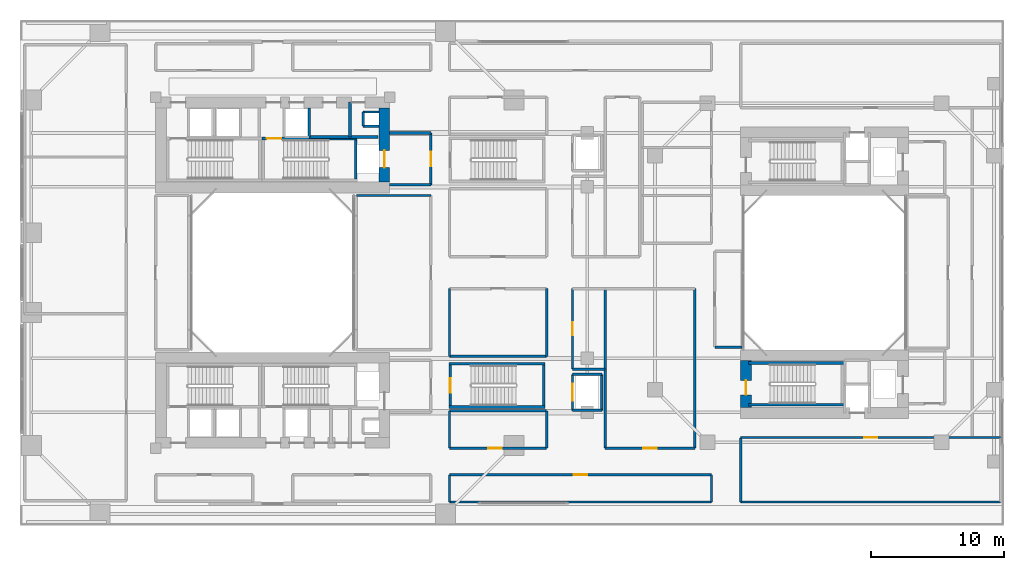
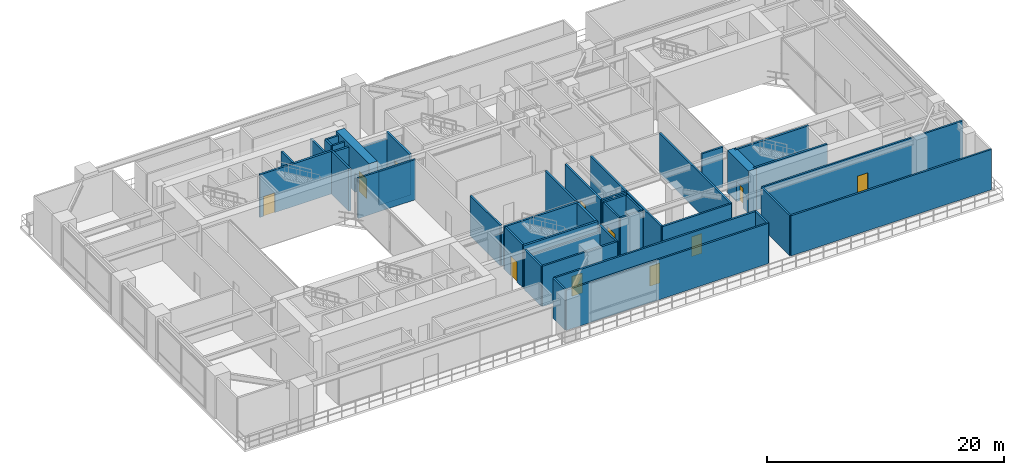
# One storey, part 13 of 20: 44 walls, 11 doors, 11 openings.
"""IFC4 building model written with IfcOpenShell, lengths in metres."""

import ifcopenshell
import ifcopenshell.guid

model = None  # the IFC model being written
_history = None  # IfcOwnerHistory: only IFC2X3 demands one
_inside = {}  # id of a spatial element -> (the spatial element, [elements in it])
_under = {}  # id of a project, library or spatial element -> (it, [spatial elements below it])
_declared = {}  # id of a project -> (the project, [libraries it declares])
_typed = {}  # id of a type object -> (the type object, [elements of that type])
_made_of = {}  # id of a material, layer set ... -> (it, [elements and type objects made of it])


def new_model(schema):
    """Start an empty IFC model of exactly this schema.

    Asked for "IFC4X3", IfcOpenShell would pick the latest addendum, in which some entities
    have other attributes; the version numbers below select the first issue.
    IFC2X3 requires an IfcOwnerHistory on every rooted entity: one is made here for all.
    """
    global model, _history
    if schema == "IFC4X3":
        model = ifcopenshell.file(schema_version=(4, 3, 0, 0))
    else:
        model = ifcopenshell.file(schema=schema)
    _inside.clear()
    _under.clear()
    _declared.clear()
    _typed.clear()
    _made_of.clear()
    _history = None
    if model.schema == "IFC2X3":
        org = make("IfcOrganization", Name="unknown")
        user = make(
            "IfcPersonAndOrganization",
            ThePerson=make("IfcPerson", FamilyName="unknown"),
            TheOrganization=org,
        )
        app = make(
            "IfcApplication",
            ApplicationDeveloper=org,
            Version="unknown",
            ApplicationFullName="unknown",
            ApplicationIdentifier="unknown",
        )
        _history = make(
            "IfcOwnerHistory",
            OwningUser=user,
            OwningApplication=app,
            ChangeAction="ADDED",
            CreationDate=0,
        )
    return model


def make(cls, **values):
    """One entity of the class cls with the attributes given. An attribute that is None is left unset."""
    return model.create_entity(
        cls, **{name: value for name, value in values.items() if value is not None}
    )


def rooted(cls, **values):
    """An entity with a GlobalId (a new one), such as an element, a storey or a relation."""
    return make(cls, GlobalId=ifcopenshell.guid.new(), OwnerHistory=_history, **values)


def si_unit(unit_type, name, prefix=None):
    """IfcSIUnit, for example si_unit("LENGTHUNIT", "METRE", prefix="MILLI")."""
    return make("IfcSIUnit", UnitType=unit_type, Prefix=prefix, Name=name)


def assignment(units):
    """IfcUnitAssignment: the units of a project."""
    return None if units is None else make("IfcUnitAssignment", Units=units)


def point(xyz):
    """IfcCartesianPoint."""
    return None if xyz is None else make("IfcCartesianPoint", Coordinates=xyz)


def direction(xyz):
    """IfcDirection."""
    return None if xyz is None else make("IfcDirection", DirectionRatios=xyz)


def frame(location, z_axis=None, x_axis=None):
    """IfcAxis2Placement3D, a coordinate frame: its origin and axes. An axis left out is left unset."""
    return make(
        "IfcAxis2Placement3D",
        Location=point(location),
        Axis=direction(z_axis),
        RefDirection=direction(x_axis),
    )


def frame_2d(location, x_axis=None):
    """IfcAxis2Placement2D, a coordinate frame in the plane: its origin and x axis."""
    return make(
        "IfcAxis2Placement2D", Location=point(location), RefDirection=direction(x_axis)
    )


def origin():
    """The frame at (0, 0, 0) with its axes left unset."""
    return frame((0.0, 0.0, 0.0))


def place(relative_to, where):
    """IfcLocalPlacement: puts the frame where relative to a parent placement (None: the world)."""
    return make(
        "IfcLocalPlacement", PlacementRelTo=relative_to, RelativePlacement=where
    )


def context(
    kind, dimensions, precision=None, world=None, true_north=None, identifier=None
):
    """IfcGeometricRepresentationContext, for example the 3D "Model" context."""
    return make(
        "IfcGeometricRepresentationContext",
        ContextIdentifier=identifier,
        ContextType=kind,
        CoordinateSpaceDimension=dimensions,
        Precision=precision,
        WorldCoordinateSystem=world,
        TrueNorth=true_north,
    )


def subcontext(parent, identifier, kind, view, scale=None):
    """IfcGeometricRepresentationSubContext, for example "Body" below "Model"."""
    return make(
        "IfcGeometricRepresentationSubContext",
        ContextIdentifier=identifier,
        ContextType=kind,
        ParentContext=parent,
        TargetScale=scale,
        TargetView=view,
    )


def project(units=None, contexts=None):
    """IfcProject with its units and contexts."""
    return rooted(
        "IfcProject",
        Name="project",
        RepresentationContexts=contexts,
        UnitsInContext=assignment(units),
    )


def spatial(cls, under=None, at=None, **own):
    """A site, building, storey or space (cls), placed at a placement, below another one or the project."""
    s = rooted(cls, ObjectPlacement=at, **own)
    if under is not None:
        _under.setdefault(under.id(), (under, []))[1].append(s)
    return s


def profile(cls, at=None, kind="AREA", **sizes):
    """A parametric profile (cls). Its sizes go by their IFC names, for example OverallWidth=200.0."""
    return make(cls, ProfileType=kind, Position=at, **sizes)


def rectangle(**sizes):
    """IfcRectangleProfileDef."""
    return profile("IfcRectangleProfileDef", **sizes)


def extrude(swept, where, along, depth):
    """IfcExtrudedAreaSolid: the profile swept, set in the frame where, extruded along a direction by depth."""
    return make(
        "IfcExtrudedAreaSolid",
        SweptArea=swept,
        Position=where,
        ExtrudedDirection=direction(along),
        Depth=depth,
    )


def shape(context_of_items, identifier, shape_type, items):
    """IfcShapeRepresentation: the items that make up one representation, for example the "Body"."""
    return make(
        "IfcShapeRepresentation",
        ContextOfItems=context_of_items,
        RepresentationIdentifier=identifier,
        RepresentationType=shape_type,
        Items=items,
    )


def source(mapping_origin, context_of_items, identifier, shape_type, items):
    """IfcRepresentationMap: a shape defined once, which mapped items show again and again."""
    return make(
        "IfcRepresentationMap",
        MappingOrigin=mapping_origin,
        MappedRepresentation=shape(context_of_items, identifier, shape_type, items),
    )


def transform(
    local_origin,
    x_axis=None,
    y_axis=None,
    z_axis=None,
    scale=None,
    scale2=None,
    scale3=None,
    uniform=True,
):
    """IfcCartesianTransformationOperator3D, or its non-uniform kind. x_axis, y_axis, z_axis: its Axis1, 2, 3."""
    if uniform:
        return make(
            "IfcCartesianTransformationOperator3D",
            Axis1=direction(x_axis),
            Axis2=direction(y_axis),
            LocalOrigin=point(local_origin),
            Scale=scale,
            Axis3=direction(z_axis),
        )
    return make(
        "IfcCartesianTransformationOperator3DnonUniform",
        Axis1=direction(x_axis),
        Axis2=direction(y_axis),
        LocalOrigin=point(local_origin),
        Scale=scale,
        Axis3=direction(z_axis),
        Scale2=scale2,
        Scale3=scale3,
    )


def mapped(mapping_source, mapping_target):
    """IfcMappedItem: shows the shape of a source again, moved by a transform."""
    return make(
        "IfcMappedItem", MappingSource=mapping_source, MappingTarget=mapping_target
    )


def material(Name=None, Category=None):
    """IfcMaterial."""
    return make("IfcMaterial", Name=Name, Category=Category)


def layer(
    of_material, thickness, ventilated=None, Name=None, Category=None, Priority=None
):
    """IfcMaterialLayer: one layer of a wall or slab, of a material (None: an air gap)."""
    return make(
        "IfcMaterialLayer",
        Material=of_material,
        LayerThickness=thickness,
        IsVentilated=ventilated,
        Name=Name,
        Category=Category,
        Priority=Priority,
    )


def layer_set(layers, Name=None):
    """IfcMaterialLayerSet."""
    return make("IfcMaterialLayerSet", MaterialLayers=layers, LayerSetName=Name)


def made_of(thing, what):
    """Note that an element or type object is made of a material, layer set ...; save() writes the relation."""
    if what is not None:
        _made_of.setdefault(what.id(), (what, []))[1].append(thing)
    return thing


def type_object(cls, material=None, **own):
    """A type object (cls), such as IfcWallType, which elements share."""
    return made_of(rooted(cls, **own), material)


def element(
    cls,
    number,
    at=None,
    inside=None,
    cuts=None,
    type_object=None,
    material=None,
    context=None,
    identifier="Body",
    shape_type=None,
    held_by="IfcProductDefinitionShape",
    body=None,
    shapes=None,
    **own,
):
    """One element of the class cls, such as IfcWall. Its Tag is "e" and its number.

    at: its placement. inside: the storey or other place that contains it. cuts: it is an
    opening in that element (IfcRelVoidsElement). A single representation is given by context,
    identifier, shape_type and body (its items); several are given by shapes. held_by: the class
    of the entity that holds the representations. save() writes the other relations.
    """
    e = rooted(cls, Tag="e%d" % number, ObjectPlacement=at, **own)
    if body is not None:
        shapes = [shape(context, identifier, shape_type, body)]
    if shapes is not None:
        e.Representation = make(held_by, Representations=shapes)
    if inside is not None:
        _inside.setdefault(inside.id(), (inside, []))[1].append(e)
    if cuts is not None:
        rooted(
            "IfcRelVoidsElement", RelatingBuildingElement=cuts, RelatedOpeningElement=e
        )
    if type_object is not None:
        _typed.setdefault(type_object.id(), (type_object, []))[1].append(e)
    return made_of(e, material)


def fill(opening, filler):
    """IfcRelFillsElement: the door or window that sits in an opening."""
    return rooted(
        "IfcRelFillsElement",
        RelatingOpeningElement=opening,
        RelatedBuildingElement=filler,
    )


def aggregate(whole, parts):
    """IfcRelAggregates: a whole, such as a stair, and the parts it consists of."""
    return rooted("IfcRelAggregates", RelatingObject=whole, RelatedObjects=parts)


def save(model, path):
    """Write the relations noted so far, then the file.

    IfcRelAggregates (storeys below a building ...), IfcRelContainedInSpatialStructure (elements
    in a storey), IfcRelDefinesByType, IfcRelAssociatesMaterial and IfcRelDeclares: one each for
    every whole, place, type object, material and project.
    """
    for whole, parts in _under.values():
        aggregate(whole, parts)
    for where, things in _inside.values():
        rooted(
            "IfcRelContainedInSpatialStructure",
            RelatedElements=things,
            RelatingStructure=where,
        )
    for kind, things in _typed.values():
        rooted("IfcRelDefinesByType", RelatedObjects=things, RelatingType=kind)
    for what, things in _made_of.values():
        rooted("IfcRelAssociatesMaterial", RelatedObjects=things, RelatingMaterial=what)
    for by, libraries in _declared.values():
        rooted("IfcRelDeclares", RelatingContext=by, RelatedDefinitions=libraries)
    model.write(path)


model = new_model("IFC4")

# Units and contexts
model_context = context("Model", 3, precision=1e-05, world=origin(), true_north=direction((0.0, 1.0)))
body_context = subcontext(model_context, "Body", "Model", "MODEL_VIEW")
ifc_project = project(units=[si_unit("LENGTHUNIT", "METRE"), si_unit("AREAUNIT", "SQUARE_METRE"), si_unit("VOLUMEUNIT", "CUBIC_METRE"), si_unit("PLANEANGLEUNIT", "RADIAN"), si_unit("MASSUNIT", "GRAM", prefix="KILO"), si_unit("THERMODYNAMICTEMPERATUREUNIT", "KELVIN"), si_unit("POWERUNIT", "WATT")], contexts=[model_context])

# Site, building, storey
site_placement = place(None, origin())
site = spatial("IfcSite", under=ifc_project, at=site_placement, CompositionType="ELEMENT")
building_placement = place(site_placement, origin())
building = spatial("IfcBuilding", under=site, at=building_placement, Name="Qiaomeng Ring Towers", CompositionType="ELEMENT")
storey_placement = place(building_placement, frame((0.0, 0.0, 13.800048828125)))
storey = spatial("IfcBuildingStorey", under=building, at=storey_placement, Name="L03", CompositionType="ELEMENT", Elevation=13.800048828125)

# Walls
ifc_material_1 = material(Name="Autoclaved aerated concrete block", Category="concrete")
ifc_layer_1 = layer(ifc_material_1, 0.199951171875, Name="Autoclaved aerated concrete block")
ifc_layer_set_1 = layer_set([ifc_layer_1], Name="Autoclaved aerated concrete block")
wall_type_1 = type_object("IfcWallType", Name="ARC-WL-PW1", PredefinedType="PARTITIONING", material=ifc_layer_set_1)
for number, where, z_axis, x_axis, name in (
    (1, (27.800048828125, 29.60009765625, 0.0), (0.0, 0.0, 1.0), (1.0, 0.0, 0.0), "L03 Interior Wall PW1"),
    (2, (27.800048828125, 33.5, 0.0), (0.0, 0.0, 1.0), (1.0, 0.0, 0.0), "L03 Interior Wall PW1"),
):
    element("IfcWall", number, at=place(storey_placement, frame(where, z_axis=z_axis, x_axis=x_axis)), inside=storey, type_object=wall_type_1, Name=name, PredefinedType="PARTITIONING", context=body_context, shape_type="SweptSolid", body=[
        extrude(rectangle(XDim=3.099853515625, YDim=0.199951171875, at=frame_2d((1.5498046875, 0.0))), origin(), (0.0, 0.0, 1.0), 3.445068359375),
    ])

# Wall, opening, door
wall_1_placement = place(storey_placement, frame((30.89990234375, 29.60009765625, 0.0), z_axis=(0.0, 0.0, 1.0), x_axis=(0.0, 1.0, 0.0)))
wall_1 = element("IfcWall", 3, at=wall_1_placement, inside=storey, type_object=wall_type_1, Name="L03 Interior Wall PW1", PredefinedType="PARTITIONING", context=body_context, shape_type="SweptSolid", body=[
    extrude(rectangle(XDim=3.89990234375, YDim=0.199951171875, at=frame_2d((1.949951171875, 0.0))), origin(), (0.0, 0.0, 1.0), 4.14990234375),
])
opening_1_placement = place(wall_1_placement, frame((1.39990234375, 0.0, 0.0)))
opening_1 = element("IfcOpeningElement", 4, at=opening_1_placement, cuts=wall_1, Name="Opening FD3", PredefinedType="OPENING", context=body_context, shape_type="SweptSolid", body=[
    extrude(rectangle(XDim=1.10009765625, YDim=2.050048828125, at=frame_2d((0.550048828125, 1.02490234375))), frame((0.0, 0.10986328125, 0.0), z_axis=(0.0, -1.0, 0.0), x_axis=(1.0, 0.0, 0.0)), (0.0, 0.0, 1.0), 0.219970703125),
])
ifc_material_2 = material(Name="Galvanised steel", Category="steel")
door_type_1 = type_object("IfcDoorType", Name="ARC-DR-FD3", OperationType="NOTDEFINED", PredefinedType="DOOR", material=ifc_material_2)
shared_shape_1 = source(origin(), body_context, "Body", "SweptSolid", [
    extrude(rectangle(XDim=1.10009765625, YDim=2.050048828125, at=frame_2d((0.550048828125, 1.02490234375))), frame((0.0, 0.02490234375, 0.0), z_axis=(0.0, -1.0, 0.0), x_axis=(1.0, 0.0, 0.0)), (0.0, 0.0, 1.0), 0.050048828125),
])
door_1_placement = place(opening_1_placement, origin())
door_1 = element("IfcDoor", 5, at=door_1_placement, inside=storey, type_object=door_type_1, Name="L03 North FF Lobby Door", OperationType="SINGLE_SWING_LEFT", OverallHeight=2.050048828125, OverallWidth=1.10009765625, PredefinedType="DOOR", context=body_context, shape_type="MappedRepresentation", body=[
    mapped(shared_shape_1, transform((0.0, 0.0, 0.0), x_axis=(1.0, 0.0, 0.0), y_axis=(0.0, 1.0, 0.0), z_axis=(0.0, 0.0, 1.0), scale=1.0)),
])
fill(opening_1, door_1)

# Walls
wall_2_placement = place(storey_placement, frame((24.820068359375, 33.199951171875, 0.0), z_axis=(0.0, 0.0, 1.0), x_axis=(0.0, 1.0, 0.0)))
element("IfcWall", 6, at=wall_2_placement, inside=storey, type_object=wall_type_1, Name="L03 Interior Wall PW1", PredefinedType="PARTITIONING", context=body_context, shape_type="SweptSolid", body=[
    extrude(rectangle(XDim=2.650146484375, YDim=0.199951171875, at=frame_2d((1.3251953125, 0.0))), origin(), (0.0, 0.0, 1.0), 4.14990234375),
])
wall_3_placement = place(storey_placement, frame((21.75, 33.199951171875, 0.0), z_axis=(0.0, 0.0, 1.0), x_axis=(0.0, 1.0, 0.0)))
element("IfcWall", 7, at=wall_3_placement, inside=storey, type_object=wall_type_1, Name="L03 Interior Wall PW1", PredefinedType="PARTITIONING", context=body_context, shape_type="SweptSolid", body=[
    extrude(rectangle(XDim=2.199951171875, YDim=0.199951171875, at=frame_2d((1.10009765625, 0.0))), origin(), (0.0, 0.0, 1.0), 4.14990234375),
])
wall_4_placement = place(storey_placement, frame((21.75, 33.199951171875, 0.0), z_axis=(0.0, 0.0, 1.0), x_axis=(1.0, 0.0, 0.0)))
element("IfcWall", 8, at=wall_4_placement, inside=storey, type_object=wall_type_1, Name="L03 Interior Wall PW1", PredefinedType="PARTITIONING", context=body_context, shape_type="SweptSolid", body=[
    extrude(rectangle(XDim=5.169921875, YDim=0.199951171875, at=frame_2d((2.5849609375, 0.0))), origin(), (0.0, 0.0, 1.0), 4.14990234375),
])
ifc_layer_2 = layer(ifc_material_1, 0.179931640625, Name="Autoclaved aerated concrete block")
ifc_layer_set_2 = layer_set([ifc_layer_2], Name="Autoclaved aerated concrete block")
wall_type_2 = type_object("IfcWallType", Name="ARC-WL-PW2", PredefinedType="PARTITIONING", material=ifc_layer_set_2)
wall_5_placement = place(storey_placement, frame((25.300048828125, 28.800048828125, 0.0), z_axis=(0.0, 0.0, 1.0), x_axis=(1.0, 0.0, 0.0)))
element("IfcWall", 9, at=wall_5_placement, inside=storey, type_object=wall_type_2, Name="L03 Interior Wall PW2", PredefinedType="PARTITIONING", context=body_context, shape_type="SweptSolid", body=[
    extrude(rectangle(XDim=5.599853515625, YDim=0.179931640625, at=frame_2d((2.7998046875, 0.0))), origin(), (0.0, 0.0, 1.0), 4.14990234375),
])
wall_6_placement = place(storey_placement, frame((32.300048828125, 16.699951171875, 0.0), z_axis=(0.0, 0.0, 1.0), x_axis=(1.0, 0.0, 0.0)))
element("IfcWall", 10, at=wall_6_placement, inside=storey, type_object=wall_type_2, Name="L03 Interior Wall PW2", PredefinedType="PARTITIONING", context=body_context, shape_type="SweptSolid", body=[
    extrude(rectangle(XDim=7.300048828125, YDim=0.179931640625, at=frame_2d((3.64990234375, 0.0))), origin(), (0.0, 0.0, 1.0), 3.445068359375),
])
for number, where, z_axis, x_axis, name in (
    (11, (32.300048828125, 16.699951171875, 0.0), (0.0, 0.0, 1.0), (0.0, 1.0, 0.0), "L03 Interior Wall PW2"),
    (12, (39.60009765625, 16.699951171875, 0.0), (0.0, 0.0, 1.0), (0.0, 1.0, 0.0), "L03 Interior Wall PW2"),
):
    element("IfcWall", number, at=place(storey_placement, frame(where, z_axis=z_axis, x_axis=x_axis)), inside=storey, type_object=wall_type_2, Name=name, PredefinedType="PARTITIONING", context=body_context, shape_type="SweptSolid", body=[
        extrude(rectangle(XDim=5.10009765625, YDim=0.179931640625, at=frame_2d((2.550048828125, 0.0))), origin(), (0.0, 0.0, 1.0), 4.14990234375),
    ])

# Wall, opening, door
wall_7_placement = place(storey_placement, frame((32.300048828125, 9.800048828125, 0.0), z_axis=(0.0, 0.0, 1.0), x_axis=(1.0, 0.0, 0.0)))
wall_7 = element("IfcWall", 13, at=wall_7_placement, inside=storey, type_object=wall_type_2, Name="L03 Interior Wall PW2", PredefinedType="PARTITIONING", context=body_context, shape_type="SweptSolid", body=[
    extrude(rectangle(XDim=7.300048828125, YDim=0.179931640625, at=frame_2d((3.64990234375, 0.0))), origin(), (0.0, 0.0, 1.0), 4.14990234375),
])
opening_2_placement = place(wall_7_placement, frame((2.9169921875, 0.0, 0.0)))
opening_2 = element("IfcOpeningElement", 14, at=opening_2_placement, cuts=wall_7, Name="Opening FD4", PredefinedType="OPENING", context=body_context, shape_type="SweptSolid", body=[
    extrude(rectangle(XDim=1.0, YDim=2.050048828125, at=frame_2d((0.5, 1.02490234375))), frame((0.0, 0.099853515625, 0.0), z_axis=(0.0, -1.0, 0.0), x_axis=(1.0, 0.0, 0.0)), (0.0, 0.0, 1.0), 0.199951171875),
])
ifc_material_3 = material(Name="Engineered fire-rated oak timber", Category="wood")
door_type_2 = type_object("IfcDoorType", Name="ARC-DR-FD4", OperationType="NOTDEFINED", PredefinedType="DOOR", material=ifc_material_3)
shared_shape_2 = source(origin(), body_context, "Body", "SweptSolid", [
    extrude(rectangle(XDim=1.0, YDim=2.050048828125, at=frame_2d((0.5, 1.02490234375))), frame((0.0, 0.02490234375, 0.0), z_axis=(0.0, -1.0, 0.0), x_axis=(1.0, 0.0, 0.0)), (0.0, 0.0, 1.0), 0.050048828125),
])
door_2_placement = place(opening_2_placement, origin())
door_2 = element("IfcDoor", 15, at=door_2_placement, inside=storey, type_object=door_type_2, Name="L03 L03 Dermatology Treatment Room Door", OperationType="SINGLE_SWING_LEFT", OverallHeight=2.050048828125, OverallWidth=1.0, PredefinedType="DOOR", context=body_context, shape_type="MappedRepresentation", body=[
    mapped(shared_shape_2, transform((0.0, 0.0, 0.0), x_axis=(1.0, 0.0, 0.0), y_axis=(0.0, 1.0, 0.0), z_axis=(0.0, 0.0, 1.0), scale=1.0)),
])
fill(opening_2, door_2)

# Walls
wall_8_placement = place(storey_placement, frame((32.300048828125, 12.60009765625, 0.0), z_axis=(0.0, 0.0, 1.0), x_axis=(1.0, 0.0, 0.0)))
element("IfcWall", 16, at=wall_8_placement, inside=storey, type_object=wall_type_2, Name="L03 Interior Wall PW2", PredefinedType="PARTITIONING", context=body_context, shape_type="SweptSolid", body=[
    extrude(rectangle(XDim=7.300048828125, YDim=0.179931640625, at=frame_2d((3.64990234375, 0.0))), origin(), (0.0, 0.0, 1.0), 3.445068359375),
])
for number, where, z_axis, x_axis, name in (
    (17, (32.300048828125, 9.800048828125, 0.0), (0.0, 0.0, 1.0), (0.0, 1.0, 0.0), "L03 Interior Wall PW2"),
    (18, (39.60009765625, 9.800048828125, 0.0), (0.0, 0.0, 1.0), (0.0, 1.0, 0.0), "L03 Interior Wall PW2"),
):
    element("IfcWall", number, at=place(storey_placement, frame(where, z_axis=z_axis, x_axis=x_axis)), inside=storey, type_object=wall_type_2, Name=name, PredefinedType="PARTITIONING", context=body_context, shape_type="SweptSolid", body=[
        extrude(rectangle(XDim=2.800048828125, YDim=0.179931640625, at=frame_2d((1.39990234375, 0.0))), origin(), (0.0, 0.0, 1.0), 4.14990234375),
    ])

# Wall, opening, door
wall_9_placement = place(storey_placement, frame((44.0, 9.800048828125, 0.0), z_axis=(0.0, 0.0, 1.0), x_axis=(1.0, 0.0, 0.0)))
wall_9 = element("IfcWall", 19, at=wall_9_placement, inside=storey, type_object=wall_type_2, Name="L03 Interior Wall PW2", PredefinedType="PARTITIONING", context=body_context, shape_type="SweptSolid", body=[
    extrude(rectangle(XDim=6.75, YDim=0.179931640625, at=frame_2d((3.375, 0.0))), origin(), (0.0, 0.0, 1.0), 4.14990234375),
])
opening_3_placement = place(wall_9_placement, frame((2.875, 0.0, 0.0)))
opening_3 = element("IfcOpeningElement", 20, at=opening_3_placement, cuts=wall_9, Name="Opening FD4", PredefinedType="OPENING", context=body_context, shape_type="SweptSolid", body=[
    extrude(rectangle(XDim=1.0, YDim=2.050048828125, at=frame_2d((0.5, 1.02490234375))), frame((0.0, 0.099853515625, 0.0), z_axis=(0.0, -1.0, 0.0), x_axis=(1.0, 0.0, 0.0)), (0.0, 0.0, 1.0), 0.199951171875),
])
door_3_placement = place(opening_3_placement, origin())
door_3 = element("IfcDoor", 21, at=door_3_placement, inside=storey, type_object=door_type_2, Name="L03 L03 Maternal Child Health Clinic Door", OperationType="SINGLE_SWING_RIGHT", OverallHeight=2.050048828125, OverallWidth=1.0, PredefinedType="DOOR", context=body_context, shape_type="MappedRepresentation", body=[
    mapped(shared_shape_2, transform((0.0, 0.0, 0.0), x_axis=(1.0, 0.0, 0.0), y_axis=(0.0, 1.0, 0.0), z_axis=(0.0, 0.0, 1.0), scale=1.0)),
])
fill(opening_3, door_3)

# Walls
for number, where, z_axis, x_axis, name in (
    (22, (44.0, 9.800048828125, 0.0), (0.0, 0.0, 1.0), (0.0, 1.0, 0.0), "L03 Interior Wall PW2"),
    (23, (50.75, 9.800048828125, 0.0), (0.0, 0.0, 1.0), (0.0, 1.0, 0.0), "L03 Interior Wall PW2"),
):
    element("IfcWall", number, at=place(storey_placement, frame(where, z_axis=z_axis, x_axis=x_axis)), inside=storey, type_object=wall_type_2, Name=name, PredefinedType="PARTITIONING", context=body_context, shape_type="SweptSolid", body=[
        extrude(rectangle(XDim=12.0, YDim=0.179931640625, at=frame_2d((6.0, 0.0))), origin(), (0.0, 0.0, 1.0), 4.14990234375),
    ])
wall_10_placement = place(storey_placement, frame((41.550048828125, 15.75, 0.0), z_axis=(0.0, 0.0, 1.0), x_axis=(1.0, 0.0, 0.0)))
element("IfcWall", 24, at=wall_10_placement, inside=storey, type_object=wall_type_2, Name="L03 Interior Wall PW2", PredefinedType="PARTITIONING", context=body_context, shape_type="SweptSolid", body=[
    extrude(rectangle(XDim=2.449951171875, YDim=0.179931640625, at=frame_2d((1.22509765625, 0.0))), origin(), (0.0, 0.0, 1.0), 4.14990234375),
])

# Wall, opening, door
wall_11_placement = place(storey_placement, frame((41.550048828125, 15.75, 0.0), z_axis=(0.0, 0.0, 1.0), x_axis=(0.0, 1.0, 0.0)))
wall_11 = element("IfcWall", 25, at=wall_11_placement, inside=storey, type_object=wall_type_2, Name="L03 Interior Wall PW2", PredefinedType="PARTITIONING", context=body_context, shape_type="SweptSolid", body=[
    extrude(rectangle(XDim=6.050048828125, YDim=0.179931640625, at=frame_2d((3.02490234375, 0.0))), origin(), (0.0, 0.0, 1.0), 4.14990234375),
])
opening_4_placement = place(wall_11_placement, frame((2.52490234375, 0.0, 0.0)))
opening_4 = element("IfcOpeningElement", 26, at=opening_4_placement, cuts=wall_11, Name="Opening FD4", PredefinedType="OPENING", context=body_context, shape_type="SweptSolid", body=[
    extrude(rectangle(XDim=1.0, YDim=2.050048828125, at=frame_2d((0.5, 1.02490234375))), frame((0.0, 0.099853515625, 0.0), z_axis=(0.0, -1.0, 0.0), x_axis=(1.0, 0.0, 0.0)), (0.0, 0.0, 1.0), 0.199951171875),
])
door_4_placement = place(opening_4_placement, origin())
door_4 = element("IfcDoor", 27, at=door_4_placement, inside=storey, type_object=door_type_2, Name="L03 L03 Preventive Rehabilitation Suite Door", OperationType="SINGLE_SWING_LEFT", OverallHeight=2.050048828125, OverallWidth=1.0, PredefinedType="DOOR", context=body_context, shape_type="MappedRepresentation", body=[
    mapped(shared_shape_2, transform((0.0, 0.0, 0.0), x_axis=(1.0, 0.0, 0.0), y_axis=(0.0, 1.0, 0.0), z_axis=(0.0, 0.0, 1.0), scale=1.0)),
])
fill(opening_4, door_4)

# Wall
wall_12_placement = place(storey_placement, frame((52.25, 17.39990234375, 0.0), z_axis=(0.0, 0.0, 1.0), x_axis=(1.0, 0.0, 0.0)))
element("IfcWall", 28, at=wall_12_placement, inside=storey, type_object=wall_type_2, Name="L03 Interior Wall PW2", PredefinedType="PARTITIONING", context=body_context, shape_type="SweptSolid", body=[
    extrude(rectangle(XDim=2.050048828125, YDim=0.179931640625, at=frame_2d((1.02490234375, 0.0))), origin(), (0.0, 0.0, 1.0), 4.14990234375),
])

# Wall, opening, door
wall_13_placement = place(storey_placement, frame((54.199951171875, 10.60009765625, 0.0), z_axis=(0.0, 0.0, 1.0), x_axis=(1.0, 0.0, 0.0)))
wall_13 = element("IfcWall", 29, at=wall_13_placement, inside=storey, type_object=wall_type_2, Name="L03 Interior Wall PW2", PredefinedType="PARTITIONING", context=body_context, shape_type="SweptSolid", body=[
    extrude(rectangle(XDim=19.550048828125, YDim=0.179931640625, at=frame_2d((9.77490234375, 0.0))), origin(), (0.0, 0.0, 1.0), 4.14990234375),
])
opening_5_placement = place(wall_13_placement, frame((9.27490234375, 0.0, 0.0)))
opening_5 = element("IfcOpeningElement", 30, at=opening_5_placement, cuts=wall_13, Name="Opening FD4", PredefinedType="OPENING", context=body_context, shape_type="SweptSolid", body=[
    extrude(rectangle(XDim=1.0, YDim=2.050048828125, at=frame_2d((0.5, 1.02490234375))), frame((0.0, 0.099853515625, 0.0), z_axis=(0.0, -1.0, 0.0), x_axis=(1.0, 0.0, 0.0)), (0.0, 0.0, 1.0), 0.199951171875),
])
door_5_placement = place(opening_5_placement, origin())
door_5 = element("IfcDoor", 31, at=door_5_placement, inside=storey, type_object=door_type_2, Name="L03 L03 Wellness Reading Lounge Door", OperationType="SINGLE_SWING_LEFT", OverallHeight=2.050048828125, OverallWidth=1.0, PredefinedType="DOOR", context=body_context, shape_type="MappedRepresentation", body=[
    mapped(shared_shape_2, transform((0.0, 0.0, 0.0), x_axis=(1.0, 0.0, 0.0), y_axis=(0.0, 1.0, 0.0), z_axis=(0.0, 0.0, 1.0), scale=1.0)),
])
fill(opening_5, door_5)

# Walls
wall_14_placement = place(storey_placement, frame((54.199951171875, 5.75, 0.0), z_axis=(0.0, 0.0, 1.0), x_axis=(1.0, 0.0, 0.0)))
element("IfcWall", 32, at=wall_14_placement, inside=storey, type_object=wall_type_2, Name="L03 Interior Wall PW2", PredefinedType="PARTITIONING", context=body_context, shape_type="SweptSolid", body=[
    extrude(rectangle(XDim=19.550048828125, YDim=0.179931640625, at=frame_2d((9.77490234375, 0.0))), origin(), (0.0, 0.0, 1.0), 4.14990234375),
])
wall_15_placement = place(storey_placement, frame((54.199951171875, 5.75, 0.0), z_axis=(0.0, 0.0, 1.0), x_axis=(0.0, 1.0, 0.0)))
element("IfcWall", 33, at=wall_15_placement, inside=storey, type_object=wall_type_2, Name="L03 Interior Wall PW2", PredefinedType="PARTITIONING", context=body_context, shape_type="SweptSolid", body=[
    extrude(rectangle(XDim=4.800048828125, YDim=0.179931640625, at=frame_2d((2.39990234375, 0.0))), origin(), (0.0, 0.0, 1.0), 4.14990234375),
])
wall_16_placement = place(storey_placement, frame((32.300048828125, 5.75, 0.0), z_axis=(0.0, 0.0, 1.0), x_axis=(1.0, 0.0, 0.0)))
element("IfcWall", 34, at=wall_16_placement, inside=storey, type_object=wall_type_2, Name="L03 Interior Wall PW2", PredefinedType="PARTITIONING", context=body_context, shape_type="SweptSolid", body=[
    extrude(rectangle(XDim=19.699951171875, YDim=0.179931640625, at=frame_2d((9.85009765625, 0.0))), origin(), (0.0, 0.0, 1.0), 4.14990234375),
])

# Wall, opening, door
wall_17_placement = place(storey_placement, frame((32.300048828125, 7.800048828125, 0.0), z_axis=(0.0, 0.0, 1.0), x_axis=(1.0, 0.0, 0.0)))
wall_17 = element("IfcWall", 35, at=wall_17_placement, inside=storey, type_object=wall_type_2, Name="L03 Interior Wall PW2", PredefinedType="PARTITIONING", context=body_context, shape_type="SweptSolid", body=[
    extrude(rectangle(XDim=19.699951171875, YDim=0.179931640625, at=frame_2d((9.85009765625, 0.0))), origin(), (0.0, 0.0, 1.0), 4.14990234375),
])
opening_6_placement = place(wall_17_placement, frame((9.35009765625, 0.0, 0.0)))
opening_6 = element("IfcOpeningElement", 36, at=opening_6_placement, cuts=wall_17, Name="Opening FD4", PredefinedType="OPENING", context=body_context, shape_type="SweptSolid", body=[
    extrude(rectangle(XDim=1.0, YDim=2.050048828125, at=frame_2d((0.5, 1.02490234375))), frame((0.0, 0.099853515625, 0.0), z_axis=(0.0, -1.0, 0.0), x_axis=(1.0, 0.0, 0.0)), (0.0, 0.0, 1.0), 0.199951171875),
])
door_6_placement = place(opening_6_placement, origin())
door_6 = element("IfcDoor", 37, at=door_6_placement, inside=storey, type_object=door_type_2, Name="L03 L03 Chronic Disease Management Suite Door", OperationType="SINGLE_SWING_LEFT", OverallHeight=2.050048828125, OverallWidth=1.0, PredefinedType="DOOR", context=body_context, shape_type="MappedRepresentation", body=[
    mapped(shared_shape_2, transform((0.0, 0.0, 0.0), x_axis=(1.0, 0.0, 0.0), y_axis=(0.0, 1.0, 0.0), z_axis=(0.0, 0.0, 1.0), scale=1.0)),
])
fill(opening_6, door_6)

# Walls
for number, where, z_axis, x_axis, name in (
    (38, (32.300048828125, 5.75, 0.0), (0.0, 0.0, 1.0), (0.0, 1.0, 0.0), "L03 Interior Wall PW2"),
    (39, (52.0, 5.75, 0.0), (0.0, 0.0, 1.0), (0.0, 1.0, 0.0), "L03 Interior Wall PW2"),
):
    element("IfcWall", number, at=place(storey_placement, frame(where, z_axis=z_axis, x_axis=x_axis)), inside=storey, type_object=wall_type_2, Name=name, PredefinedType="PARTITIONING", context=body_context, shape_type="SweptSolid", body=[
        extrude(rectangle(XDim=2.050048828125, YDim=0.179931640625, at=frame_2d((1.02490234375, 0.0))), origin(), (0.0, 0.0, 1.0), 4.14990234375),
    ])
ifc_material_4 = material(Name="Concrete C40", Category="concrete")
ifc_layer_3 = layer(ifc_material_4, 0.199951171875, Name="Concrete C40")
ifc_layer_set_3 = layer_set([ifc_layer_3], Name="Concrete C40")
wall_type_3 = type_object("IfcWallType", Name="STR-WL-STSHAFT", PredefinedType="SHEAR", material=ifc_layer_set_3)
wall_18_placement = place(storey_placement, frame((25.800048828125, 34.02001953125, 0.0), z_axis=(0.0, 0.0, 1.0), x_axis=(0.0, 1.0, 0.0)))
element("IfcWall", 40, at=wall_18_placement, inside=storey, type_object=wall_type_3, Name="L03 Riser RSR1 West Shaft Wall N", PredefinedType="SHEAR", context=body_context, shape_type="SweptSolid", body=[
    extrude(rectangle(XDim=1.06005859375, YDim=0.179931640625, at=frame_2d((0.530029296875, 0.0))), origin(), (0.0, 0.0, 1.0), 4.14990234375),
])
for number, where, z_axis, x_axis, name in (
    (41, (25.800048828125, 35.080078125, 0.0), (0.0, 0.0, 1.0), (1.0, 0.0, 0.0), "L03 Riser RSR1 North Shaft Wall N"),
    (42, (25.800048828125, 34.02001953125, 0.0), (0.0, 0.0, 1.0), (1.0, 0.0, 0.0), "L03 Riser RSR1 South Shaft Wall N"),
):
    element("IfcWall", number, at=place(storey_placement, frame(where, z_axis=z_axis, x_axis=x_axis)), inside=storey, type_object=wall_type_3, Name=name, PredefinedType="SHEAR", context=body_context, shape_type="SweptSolid", body=[
        extrude(rectangle(XDim=1.199951171875, YDim=0.179931640625, at=frame_2d((0.60009765625, 0.0))), origin(), (0.0, 0.0, 1.0), 4.14990234375),
    ])

# Wall, opening, door
wall_19_placement = place(storey_placement, frame((41.550048828125, 12.64990234375, 0.0), z_axis=(0.0, 0.0, 1.0), x_axis=(0.0, 1.0, 0.0)))
wall_19 = element("IfcWall", 43, at=wall_19_placement, inside=storey, type_object=wall_type_3, Name="L03 Medical Lift LP10 West Shaft Wall", PredefinedType="SHEAR", context=body_context, shape_type="SweptSolid", body=[
    extrude(rectangle(XDim=2.7001953125, YDim=0.179931640625, at=frame_2d((1.35009765625, 0.0))), origin(), (0.0, 0.0, 1.0), 4.14990234375),
])
opening_7_placement = place(wall_19_placement, frame((0.699951171875, 0.0, 0.0)))
opening_7 = element("IfcOpeningElement", 44, at=opening_7_placement, cuts=wall_19, Name="Opening LD2", PredefinedType="OPENING", context=body_context, shape_type="SweptSolid", body=[
    extrude(rectangle(XDim=1.300048828125, YDim=2.050048828125, at=frame_2d((0.64990234375, 1.02490234375))), frame((0.0, 0.099853515625, 0.0), z_axis=(0.0, -1.0, 0.0), x_axis=(1.0, 0.0, 0.0)), (0.0, 0.0, 1.0), 0.199951171875),
])
ifc_material_5 = material(Name="Stainless steel 316", Category="steel")
door_type_3 = type_object("IfcDoorType", Name="ARC-DR-LD2", OperationType="NOTDEFINED", PredefinedType="DOOR", material=ifc_material_5)
shared_shape_3 = source(origin(), body_context, "Body", "SweptSolid", [
    extrude(rectangle(XDim=1.300048828125, YDim=2.050048828125, at=frame_2d((0.64990234375, 1.02490234375))), frame((0.0, 0.02490234375, 0.0), z_axis=(0.0, -1.0, 0.0), x_axis=(1.0, 0.0, 0.0)), (0.0, 0.0, 1.0), 0.050048828125),
])
door_7_placement = place(opening_7_placement, origin())
door_7 = element("IfcDoor", 45, at=door_7_placement, inside=storey, type_object=door_type_3, Name="L03 Medical Lift LP10 Landing Door", OperationType="SLIDING_TO_LEFT", OverallHeight=2.050048828125, OverallWidth=1.300048828125, PredefinedType="DOOR", context=body_context, shape_type="MappedRepresentation", body=[
    mapped(shared_shape_3, transform((0.0, 0.0, 0.0), x_axis=(1.0, 0.0, 0.0), y_axis=(0.0, 1.0, 0.0), z_axis=(0.0, 0.0, 1.0), scale=1.0)),
])
fill(opening_7, door_7)

# Walls
wall_20_placement = place(storey_placement, frame((43.75, 12.64990234375, 0.0), z_axis=(0.0, 0.0, 1.0), x_axis=(0.0, 1.0, 0.0)))
element("IfcWall", 46, at=wall_20_placement, inside=storey, type_object=wall_type_3, Name="L03 Medical Lift LP10 East Shaft Wall", PredefinedType="SHEAR", context=body_context, shape_type="SweptSolid", body=[
    extrude(rectangle(XDim=2.7001953125, YDim=0.179931640625, at=frame_2d((1.35009765625, 0.0))), origin(), (0.0, 0.0, 1.0), 4.14990234375),
])
for number, where, z_axis, x_axis, name in (
    (47, (41.550048828125, 12.64990234375, 0.0), (0.0, 0.0, 1.0), (1.0, 0.0, 0.0), "L03 Medical Lift LP10 South Shaft Wall"),
    (48, (41.550048828125, 15.35009765625, 0.0), (0.0, 0.0, 1.0), (1.0, 0.0, 0.0), "L03 Medical Lift LP10 North Shaft Wall"),
):
    element("IfcWall", number, at=place(storey_placement, frame(where, z_axis=z_axis, x_axis=x_axis)), inside=storey, type_object=wall_type_3, Name=name, PredefinedType="SHEAR", context=body_context, shape_type="SweptSolid", body=[
        extrude(rectangle(XDim=2.199951171875, YDim=0.179931640625, at=frame_2d((1.10009765625, 0.0))), origin(), (0.0, 0.0, 1.0), 4.14990234375),
    ])

# Wall, opening, door
wall_21_placement = place(storey_placement, frame((18.199951171875, 33.090087890625, 0.0), z_axis=(0.0, 0.0, 1.0), x_axis=(1.0, 0.0, 0.0)))
wall_21 = element("IfcWall", 49, at=wall_21_placement, inside=storey, type_object=wall_type_3, Name="L03 Stair ST2 North Shaft Shear Wall", PredefinedType="SHEAR", context=body_context, shape_type="SweptSolid", body=[
    extrude(rectangle(XDim=7.150146484375, YDim=0.199951171875, at=frame_2d((3.5751953125, 0.0))), origin(), (0.0, 0.0, 1.0), 4.39990234375),
])
opening_8_placement = place(wall_21_placement, frame((0.35009765625, 0.0, 0.0)))
opening_8 = element("IfcOpeningElement", 50, at=opening_8_placement, cuts=wall_21, Name="Opening FD3", PredefinedType="OPENING", context=body_context, shape_type="SweptSolid", body=[
    extrude(rectangle(XDim=1.10009765625, YDim=2.050048828125, at=frame_2d((0.550048828125, 1.02490234375))), frame((0.0, 0.10986328125, 0.0), z_axis=(0.0, -1.0, 0.0), x_axis=(1.0, 0.0, 0.0)), (0.0, 0.0, 1.0), 0.219970703125),
])
door_8_placement = place(opening_8_placement, origin())
door_8 = element("IfcDoor", 51, at=door_8_placement, inside=storey, type_object=door_type_1, Name="L03 Stair ST2 Exit Door", OperationType="SINGLE_SWING_RIGHT", OverallHeight=2.050048828125, OverallWidth=1.10009765625, PredefinedType="DOOR", context=body_context, shape_type="MappedRepresentation", body=[
    mapped(shared_shape_1, transform((0.0, 0.0, 0.0), x_axis=(1.0, 0.0, 0.0), y_axis=(0.0, 1.0, 0.0), z_axis=(0.0, 0.0, 1.0), scale=1.0)),
])
fill(opening_8, door_8)

# Walls
wall_22_placement = place(storey_placement, frame((25.25, 30.050048828125, 0.0), z_axis=(0.0, 0.0, 1.0), x_axis=(0.0, 1.0, 0.0)))
element("IfcWall", 52, at=wall_22_placement, inside=storey, type_object=wall_type_3, Name="L03 Stair ST2 East Shaft Shear Wall", PredefinedType="SHEAR", context=body_context, shape_type="SweptSolid", body=[
    extrude(rectangle(XDim=2.93994140625, YDim=0.199951171875, at=frame_2d((1.469970703125, 0.0))), origin(), (0.0, 0.0, 1.0), 4.39990234375),
])
for number, where, z_axis, x_axis, name in (
    (53, (54.800048828125, 13.06005859375, 0.0), (0.0, 0.0, 1.0), (1.0, 0.0, 0.0), "L03 Stair ST6 South Shaft Shear Wall"),
    (54, (54.800048828125, 16.199951171875, 0.0), (0.0, 0.0, 1.0), (1.0, 0.0, 0.0), "L03 Stair ST6 North Shaft Shear Wall"),
):
    element("IfcWall", number, at=place(storey_placement, frame(where, z_axis=z_axis, x_axis=x_axis)), inside=storey, type_object=wall_type_3, Name=name, PredefinedType="SHEAR", context=body_context, shape_type="SweptSolid", body=[
        extrude(rectangle(XDim=7.14990234375, YDim=0.199951171875, at=frame_2d((3.574951171875, 0.0))), origin(), (0.0, 0.0, 1.0), 4.39990234375),
    ])
for number, where, z_axis, x_axis, name in (
    (55, (32.25, 12.89990234375, 0.0), (0.0, 0.0, 1.0), (1.0, 0.0, 0.0), "L03 Stair ST8 South Shaft Shear Wall"),
    (56, (32.25, 16.139892578125, 0.0), (0.0, 0.0, 1.0), (1.0, 0.0, 0.0), "L03 Stair ST8 North Shaft Shear Wall"),
):
    element("IfcWall", number, at=place(storey_placement, frame(where, z_axis=z_axis, x_axis=x_axis)), inside=storey, type_object=wall_type_3, Name=name, PredefinedType="SHEAR", context=body_context, shape_type="SweptSolid", body=[
        extrude(rectangle(XDim=7.25, YDim=0.199951171875, at=frame_2d((3.625, 0.0))), origin(), (0.0, 0.0, 1.0), 4.39990234375),
    ])

# Wall, opening, door
wall_23_placement = place(storey_placement, frame((32.35009765625, 13.0, 0.0), z_axis=(0.0, 0.0, 1.0), x_axis=(0.0, 1.0, 0.0)))
wall_23 = element("IfcWall", 57, at=wall_23_placement, inside=storey, type_object=wall_type_3, Name="L03 Stair ST8 West Shaft Shear Wall", PredefinedType="SHEAR", context=body_context, shape_type="SweptSolid", body=[
    extrude(rectangle(XDim=3.0400390625, YDim=0.199951171875, at=frame_2d((1.52001953125, 0.0))), origin(), (0.0, 0.0, 1.0), 4.39990234375),
])
opening_9_placement = place(wall_23_placement, frame((0.949951171875, 0.0, 0.0)))
opening_9 = element("IfcOpeningElement", 58, at=opening_9_placement, cuts=wall_23, Name="Opening FD3", PredefinedType="OPENING", context=body_context, shape_type="SweptSolid", body=[
    extrude(rectangle(XDim=1.10009765625, YDim=2.050048828125, at=frame_2d((0.550048828125, 1.02490234375))), frame((0.0, 0.10986328125, 0.0), z_axis=(0.0, -1.0, 0.0), x_axis=(1.0, 0.0, 0.0)), (0.0, 0.0, 1.0), 0.219970703125),
])
door_9_placement = place(opening_9_placement, origin())
door_9 = element("IfcDoor", 59, at=door_9_placement, inside=storey, type_object=door_type_1, Name="L03 Podium Stair ST8 Exit Door", OperationType="SINGLE_SWING_LEFT", OverallHeight=2.050048828125, OverallWidth=1.10009765625, PredefinedType="DOOR", context=body_context, shape_type="MappedRepresentation", body=[
    mapped(shared_shape_1, transform((0.0, 0.0, 0.0), x_axis=(1.0, 0.0, 0.0), y_axis=(0.0, 1.0, 0.0), z_axis=(0.0, 0.0, 1.0), scale=1.0)),
])
fill(opening_9, door_9)

# Wall
wall_24_placement = place(storey_placement, frame((39.39990234375, 13.0, 0.0), z_axis=(0.0, 0.0, 1.0), x_axis=(0.0, 1.0, 0.0)))
element("IfcWall", 60, at=wall_24_placement, inside=storey, type_object=wall_type_3, Name="L03 Stair ST8 East Shaft Shear Wall", PredefinedType="SHEAR", context=body_context, shape_type="SweptSolid", body=[
    extrude(rectangle(XDim=3.0400390625, YDim=0.199951171875, at=frame_2d((1.52001953125, 0.0))), origin(), (0.0, 0.0, 1.0), 4.39990234375),
])

# Wall, opening, door
ifc_material_6 = material(Name="Concrete C60", Category="concrete")
ifc_layer_4 = layer(ifc_material_6, 0.800048828125, Name="Concrete C60")
ifc_layer_set_4 = layer_set([ifc_layer_4], Name="Concrete C60")
wall_type_4 = type_object("IfcWallType", Name="STR-WL-SW1", PredefinedType="SHEAR", material=ifc_layer_set_4)
wall_25_placement = place(storey_placement, frame((27.39990234375, 29.800048828125, 0.0), z_axis=(0.0, 0.0, 1.0), x_axis=(0.0, 1.0, 0.0)))
wall_25 = element("IfcWall", 61, at=wall_25_placement, inside=storey, type_object=wall_type_4, Name="L03 T1NC east core shear wall", PredefinedType="SHEAR", context=body_context, shape_type="SweptSolid", body=[
    extrude(rectangle(XDim=5.599853515625, YDim=0.800048828125, at=frame_2d((2.7998046875, 0.0))), origin(), (0.0, 0.0, 1.0), 4.39990234375),
])
opening_10_placement = place(wall_25_placement, frame((1.10009765625, 0.0, 0.0)))
opening_10 = element("IfcOpeningElement", 62, at=opening_10_placement, cuts=wall_25, Name="Opening LD2", PredefinedType="OPENING", context=body_context, shape_type="SweptSolid", body=[
    extrude(rectangle(XDim=1.300048828125, YDim=2.050048828125, at=frame_2d((0.64990234375, 1.02490234375))), frame((0.0, 0.409912109375, 0.0), z_axis=(0.0, -1.0, 0.0), x_axis=(1.0, 0.0, 0.0)), (0.0, 0.0, 1.0), 0.820068359375),
])
door_10_placement = place(opening_10_placement, origin())
door_10 = element("IfcDoor", 63, at=door_10_placement, inside=storey, type_object=door_type_3, Name="L03 Firefighting Lift FL1 Landing Door", OperationType="SLIDING_TO_LEFT", OverallHeight=2.050048828125, OverallWidth=1.300048828125, PredefinedType="DOOR", context=body_context, shape_type="MappedRepresentation", body=[
    mapped(shared_shape_3, transform((0.0, 0.0, 0.0), x_axis=(1.0, 0.0, 0.0), y_axis=(0.0, 1.0, 0.0), z_axis=(0.0, 0.0, 1.0), scale=1.0)),
])
fill(opening_10, door_10)

wall_26_placement = place(storey_placement, frame((54.60009765625, 12.85009765625, 0.0), z_axis=(0.0, 0.0, 1.0), x_axis=(0.0, 1.0, 0.0)))
wall_26 = element("IfcWall", 64, at=wall_26_placement, inside=storey, type_object=wall_type_4, Name="L03 T2SC west core shear wall", PredefinedType="SHEAR", context=body_context, shape_type="SweptSolid", body=[
    extrude(rectangle(XDim=3.5498046875, YDim=0.800048828125, at=frame_2d((1.77490234375, 0.0))), origin(), (0.0, 0.0, 1.0), 4.39990234375),
])
opening_11_placement = place(wall_26_placement, frame((0.949951171875, 0.0, 0.0)))
opening_11 = element("IfcOpeningElement", 65, at=opening_11_placement, cuts=wall_26, Name="Opening FD3", PredefinedType="OPENING", context=body_context, shape_type="SweptSolid", body=[
    extrude(rectangle(XDim=1.10009765625, YDim=2.050048828125, at=frame_2d((0.550048828125, 1.02490234375))), frame((0.0, 0.409912109375, 0.0), z_axis=(0.0, -1.0, 0.0), x_axis=(1.0, 0.0, 0.0)), (0.0, 0.0, 1.0), 0.820068359375),
])
door_11_placement = place(opening_11_placement, origin())
door_11 = element("IfcDoor", 66, at=door_11_placement, inside=storey, type_object=door_type_1, Name="L03 Stair ST6 Exit Door", OperationType="SINGLE_SWING_LEFT", OverallHeight=2.050048828125, OverallWidth=1.10009765625, PredefinedType="DOOR", context=body_context, shape_type="MappedRepresentation", body=[
    mapped(shared_shape_1, transform((0.0, 0.0, 0.0), x_axis=(1.0, 0.0, 0.0), y_axis=(0.0, 1.0, 0.0), z_axis=(0.0, 0.0, 1.0), scale=1.0)),
])
fill(opening_11, door_11)

save(model, "model.ifc")
